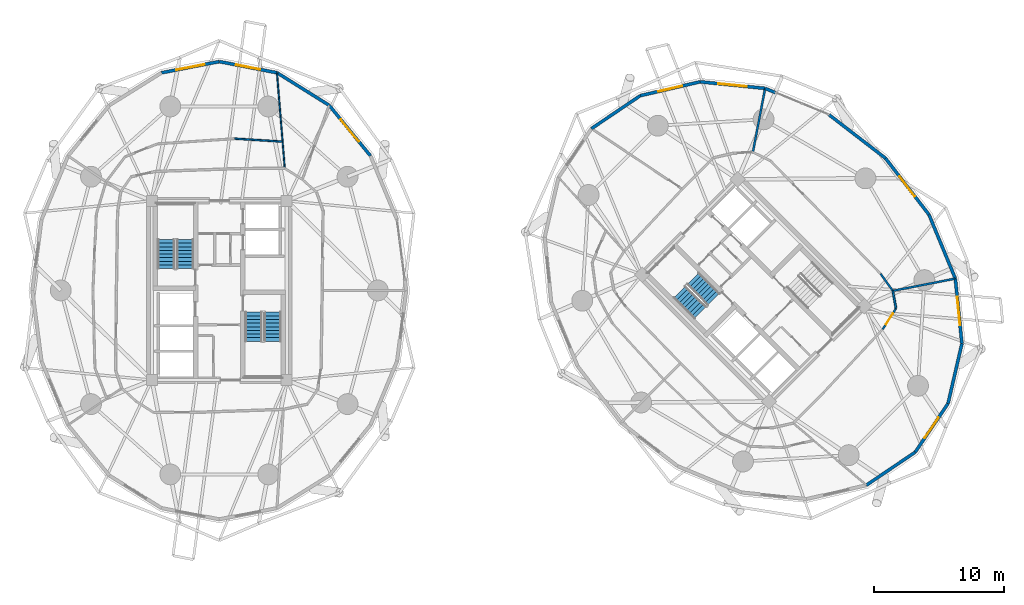
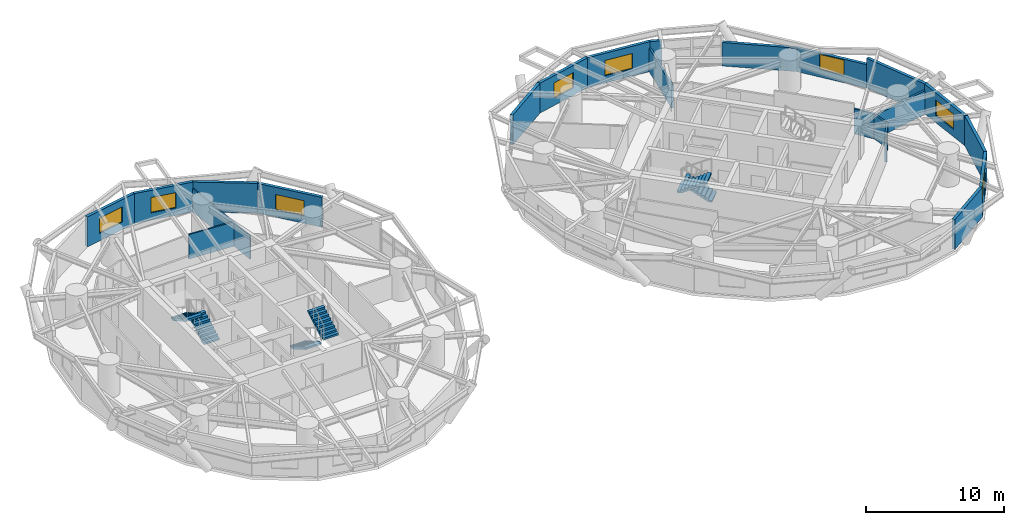
# One storey, part 14 of 17: 22 walls, 8 windows, 6 stair flights, 1 door, 9 openings, 3 elements without a shape of their own.
"""IFC4 building model written with IfcOpenShell, lengths in metres."""

from ifc_helpers import new_model, si_unit, direction, frame, frame_2d, origin, place, context, subcontext, project, spatial, polyline, rectangle, outline, extrude, source, transform, mapped, material, layer, layer_set, type_object, element, fill, aggregate, save


model = new_model("IFC4")

# Units and contexts
model_context = context("Model", 3, precision=1e-05, world=origin(), true_north=direction((0.0, 1.0)))
body_context = subcontext(model_context, "Body", "Model", "MODEL_VIEW")
ifc_project = project(units=[si_unit("LENGTHUNIT", "METRE"), si_unit("AREAUNIT", "SQUARE_METRE"), si_unit("VOLUMEUNIT", "CUBIC_METRE"), si_unit("PLANEANGLEUNIT", "RADIAN"), si_unit("MASSUNIT", "GRAM", prefix="KILO")], contexts=[model_context])

# Site, building, storey
site_placement = place(None, origin())
site = spatial("IfcSite", under=ifc_project, at=site_placement, CompositionType="ELEMENT")
building_placement = place(site_placement, origin())
building = spatial("IfcBuilding", under=site, at=building_placement, Name="Cununo Teusaquillo Station Towers", CompositionType="ELEMENT")
storey_placement = place(building_placement, frame((0.0, 0.0, 27.820068359375)))
storey = spatial("IfcBuildingStorey", under=building, at=storey_placement, Name="L07", CompositionType="ELEMENT", Elevation=27.820068359375)

# Wall, opening, window
ifc_material_1 = material(Name="Precast concrete C40/50", Category="concrete")
ifc_layer_1 = layer(ifc_material_1, 0.239990234375)
ifc_layer_set_1 = layer_set([ifc_layer_1], Name="Precast concrete C40/50")
wall_type_1 = type_object("IfcWallType", Name="WL-EXT-240", PredefinedType="SOLIDWALL", material=ifc_layer_set_1)
wall_1_placement = place(storey_placement, frame((24.935302734375, 38.71435546875, 0.0), z_axis=(0.0, 0.0, 1.0), x_axis=(0.632588557044, -0.774488035735, 0.0)))
wall_1 = element("IfcWall", 1, at=wall_1_placement, inside=storey, type_object=wall_type_1, Name="L07 Tower A Exterior Facade Wall C02", PredefinedType="SOLIDWALL", context=body_context, shape_type="SweptSolid", body=[
    extrude(rectangle(XDim=5.018798828125, YDim=0.239990234375, at=frame_2d((2.50927734375, 0.0))), origin(), (0.0, 0.0, 1.0), 2.635009765625),
])
shared_shape_1 = source(origin(), body_context, "Body", "SweptSolid", [
    extrude(rectangle(XDim=2.199951171875, YDim=1.35009765625, at=frame_2d((1.10009765625, 0.675048828125))), frame((0.0, 0.1298828125, 0.0), z_axis=(0.0, -1.0, 0.0), x_axis=(1.0, 0.0, 0.0)), (0.0, 0.0, 1.0), 0.260009765625),
])
opening_1_placement = place(wall_1_placement, frame((1.408935546875, 0.0, 0.64990234375)))
opening_1 = element("IfcOpeningElement", 2, at=opening_1_placement, cuts=wall_1, Name="Opening WN-01", PredefinedType="OPENING", context=body_context, shape_type="MappedRepresentation", body=[
    mapped(shared_shape_1, transform((0.0, 0.0, 0.0), x_axis=(1.0, 0.0, 0.0), y_axis=(0.0, 1.0, 0.0), z_axis=(0.0, 0.0, 1.0), scale=1.0)),
])
ifc_material_2 = material(Name="Ceramic-fritted dark low-E double glazing", Category="glass")
window_type_1 = type_object("IfcWindowType", Name="WIN-FRIT-2200", PartitioningType="DOUBLE_PANEL_VERTICAL", PredefinedType="WINDOW", material=ifc_material_2)
shared_shape_2 = source(origin(), body_context, "Body", "SweptSolid", [
    extrude(rectangle(XDim=2.199951171875, YDim=1.35009765625, at=frame_2d((1.10009765625, 0.675048828125))), frame((0.0, 0.030029296875, 0.0), z_axis=(0.0, -1.0, 0.0), x_axis=(1.0, 0.0, 0.0)), (0.0, 0.0, 1.0), 0.06005859375),
])
window_1_placement = place(opening_1_placement, origin())
window_1 = element("IfcWindow", 3, at=window_1_placement, inside=storey, type_object=window_type_1, Name="L07 Tower A Facade Window C02", OverallHeight=1.35009765625, OverallWidth=2.199951171875, PartitioningType="DOUBLE_PANEL_VERTICAL", PredefinedType="WINDOW", context=body_context, shape_type="MappedRepresentation", body=[
    mapped(shared_shape_2, transform((0.0, 0.0, 0.0), x_axis=(1.0, 0.0, 0.0), y_axis=(0.0, 1.0, 0.0), z_axis=(0.0, 0.0, 1.0), scale=1.0)),
])
fill(opening_1, window_1)

# Wall
wall_2_placement = place(storey_placement, frame((20.934814453125, 41.210205078125, 0.0), z_axis=(0.0, 0.0, 1.0), x_axis=(0.848422721916, -0.529319265601, 0.0)))
element("IfcWall", 4, at=wall_2_placement, inside=storey, type_object=wall_type_1, Name="L07 Tower A Exterior Facade Wall C03", PredefinedType="SOLIDWALL", context=body_context, shape_type="SweptSolid", body=[
    extrude(rectangle(XDim=4.715087890625, YDim=0.239990234375, at=frame_2d((2.357421875, 0.0))), origin(), (0.0, 0.0, 1.0), 2.635009765625),
])

# Wall, opening, window
wall_3_placement = place(storey_placement, frame((16.5, 42.070068359375, 0.0), z_axis=(0.0, 0.0, 1.0), x_axis=(0.981717351035, -0.190344536766, 0.0)))
wall_3 = element("IfcWall", 5, at=wall_3_placement, inside=storey, type_object=wall_type_1, Name="L07 Tower A Exterior Facade Wall C04", PredefinedType="SOLIDWALL", context=body_context, shape_type="SweptSolid", body=[
    extrude(rectangle(XDim=4.517333984375, YDim=0.239990234375, at=frame_2d((2.2587890625, 0.0))), origin(), (0.0, 0.0, 1.0), 2.635009765625),
])
shared_shape_3 = source(origin(), body_context, "Body", "SweptSolid", [
    extrude(rectangle(XDim=1.89990234375, YDim=1.35009765625, at=frame_2d((0.949951171875, 0.675048828125))), frame((0.0, 0.1298828125, 0.0), z_axis=(0.0, -1.0, 0.0), x_axis=(1.0, 0.0, 0.0)), (0.0, 0.0, 1.0), 0.260009765625),
])
opening_2_placement = place(wall_3_placement, frame((1.30908203125, 0.0, 0.64990234375)))
opening_2 = element("IfcOpeningElement", 6, at=opening_2_placement, cuts=wall_3, Name="Opening WN-02", PredefinedType="OPENING", context=body_context, shape_type="MappedRepresentation", body=[
    mapped(shared_shape_3, transform((0.0, 0.0, 0.0), x_axis=(1.0, 0.0, 0.0), y_axis=(0.0, 1.0, 0.0), z_axis=(0.0, 0.0, 1.0), scale=1.0)),
])
ifc_material_3 = material(Name="Operable acoustic tinted low-E double glazing", Category="glass")
window_type_2 = type_object("IfcWindowType", Name="WIN-OPER-1900", PartitioningType="DOUBLE_PANEL_VERTICAL", PredefinedType="WINDOW", material=ifc_material_3)
shared_shape_4 = source(origin(), body_context, "Body", "SweptSolid", [
    extrude(rectangle(XDim=1.89990234375, YDim=1.35009765625, at=frame_2d((0.949951171875, 0.675048828125))), frame((0.0, 0.030029296875, 0.0), z_axis=(0.0, -1.0, 0.0), x_axis=(1.0, 0.0, 0.0)), (0.0, 0.0, 1.0), 0.06005859375),
])
window_2_placement = place(opening_2_placement, origin())
window_2 = element("IfcWindow", 7, at=window_2_placement, inside=storey, type_object=window_type_2, Name="L07 Tower A Facade Window C04", OverallHeight=1.35009765625, OverallWidth=1.89990234375, PartitioningType="DOUBLE_PANEL_VERTICAL", PredefinedType="WINDOW", context=body_context, shape_type="MappedRepresentation", body=[
    mapped(shared_shape_4, transform((0.0, 0.0, 0.0), x_axis=(1.0, 0.0, 0.0), y_axis=(0.0, 1.0, 0.0), z_axis=(0.0, 0.0, 1.0), scale=1.0)),
])
fill(opening_2, window_2)

wall_4_placement = place(storey_placement, frame((12.065185546875, 41.210205078125, 0.0), z_axis=(0.0, 0.0, 1.0), x_axis=(0.981717351035, 0.190344536766, 0.0)))
wall_4 = element("IfcWall", 8, at=wall_4_placement, inside=storey, type_object=wall_type_1, Name="L07 Tower A Exterior Facade Wall C05", PredefinedType="SOLIDWALL", context=body_context, shape_type="SweptSolid", body=[
    extrude(rectangle(XDim=4.517333984375, YDim=0.239990234375, at=frame_2d((2.2587890625, 0.0))), origin(), (0.0, 0.0, 1.0), 2.635009765625),
])
opening_3_placement = place(wall_4_placement, frame((1.158935546875, 0.0, 0.64990234375)))
opening_3 = element("IfcOpeningElement", 9, at=opening_3_placement, cuts=wall_4, Name="Opening WN-01", PredefinedType="OPENING", context=body_context, shape_type="MappedRepresentation", body=[
    mapped(shared_shape_1, transform((0.0, 0.0, 0.0), x_axis=(1.0, 0.0, 0.0), y_axis=(0.0, 1.0, 0.0), z_axis=(0.0, 0.0, 1.0), scale=1.0)),
])
window_3_placement = place(opening_3_placement, origin())
window_3 = element("IfcWindow", 10, at=window_3_placement, inside=storey, type_object=window_type_1, Name="L07 Tower A Facade Window C05", OverallHeight=1.35009765625, OverallWidth=2.199951171875, PartitioningType="DOUBLE_PANEL_VERTICAL", PredefinedType="WINDOW", context=body_context, shape_type="MappedRepresentation", body=[
    mapped(shared_shape_2, transform((0.0, 0.0, 0.0), x_axis=(1.0, 0.0, 0.0), y_axis=(0.0, 1.0, 0.0), z_axis=(0.0, 0.0, 1.0), scale=1.0)),
])
fill(opening_3, window_3)

# Walls
wall_5_placement = place(storey_placement, frame((63.31201171875, 37.990234375, 0.0), z_axis=(0.0, 0.0, 1.0), x_axis=(0.791972010801, -0.610557396243, 0.0)))
element("IfcWall", 11, at=wall_5_placement, inside=storey, type_object=wall_type_1, Name="L07 Tower B Exterior Facade Wall C00", PredefinedType="SOLIDWALL", context=body_context, shape_type="SweptSolid", body=[
    extrude(rectangle(XDim=5.474609375, YDim=0.239990234375, at=frame_2d((2.7373046875, 0.0))), origin(), (0.0, 0.0, 1.0), 2.072998046875),
])
wall_6_placement = place(storey_placement, frame((58.406982421875, 40.01220703125, 0.0), z_axis=(0.0, 0.0, 1.0), x_axis=(0.924556017656, -0.381046152345, 0.0)))
element("IfcWall", 12, at=wall_6_placement, inside=storey, type_object=wall_type_1, Name="L07 Tower B Column Pier Cladding Wall C01-PA", PredefinedType="SOLIDWALL", context=body_context, shape_type="SweptSolid", body=[
    extrude(rectangle(XDim=0.8701171875, YDim=0.239990234375, at=frame_2d((0.43505859375, 0.0))), origin(), (0.0, 0.0, 1.0), 2.635009765625),
])

# Wall, opening, window
wall_7_placement = place(storey_placement, frame((53.41357421875, 40.515869140625, 0.0), z_axis=(0.0, 0.0, 1.0), x_axis=(0.994951574538, -0.100356187272, 0.0)))
wall_7 = element("IfcWall", 13, at=wall_7_placement, inside=storey, type_object=wall_type_1, Name="L07 Tower B Exterior Facade Wall C02", PredefinedType="SOLIDWALL", context=body_context, shape_type="SweptSolid", body=[
    extrude(rectangle(XDim=5.018798828125, YDim=0.239990234375, at=frame_2d((2.50927734375, 0.0))), origin(), (0.0, 0.0, 1.0), 2.635009765625),
])
opening_4_placement = place(wall_7_placement, frame((1.408935546875, 0.0, 0.64990234375)))
opening_4 = element("IfcOpeningElement", 14, at=opening_4_placement, cuts=wall_7, Name="Opening WN-01", PredefinedType="OPENING", context=body_context, shape_type="MappedRepresentation", body=[
    mapped(shared_shape_1, transform((0.0, 0.0, 0.0), x_axis=(1.0, 0.0, 0.0), y_axis=(0.0, 1.0, 0.0), z_axis=(0.0, 0.0, 1.0), scale=1.0)),
])
window_4_placement = place(opening_4_placement, origin())
window_4 = element("IfcWindow", 15, at=window_4_placement, inside=storey, type_object=window_type_1, Name="L07 Tower B Facade Window C02", OverallHeight=1.35009765625, OverallWidth=2.199951171875, PartitioningType="DOUBLE_PANEL_VERTICAL", PredefinedType="WINDOW", context=body_context, shape_type="MappedRepresentation", body=[
    mapped(shared_shape_2, transform((0.0, 0.0, 0.0), x_axis=(1.0, 0.0, 0.0), y_axis=(0.0, 1.0, 0.0), z_axis=(0.0, 0.0, 1.0), scale=1.0)),
])
fill(opening_4, window_4)

wall_8_placement = place(storey_placement, frame((48.820068359375, 39.45166015625, 0.0), z_axis=(0.0, 0.0, 1.0), x_axis=(0.974197104074, 0.225698919833, 0.0)))
wall_8 = element("IfcWall", 16, at=wall_8_placement, inside=storey, type_object=wall_type_1, Name="L07 Tower B Exterior Facade Wall C03", PredefinedType="SOLIDWALL", context=body_context, shape_type="SweptSolid", body=[
    extrude(rectangle(XDim=4.715087890625, YDim=0.239990234375, at=frame_2d((2.357421875, 0.0))), origin(), (0.0, 0.0, 1.0), 2.635009765625),
])
opening_5_placement = place(wall_8_placement, frame((1.407958984375, 0.0, 0.64990234375)))
opening_5 = element("IfcOpeningElement", 17, at=opening_5_placement, cuts=wall_8, Name="Opening WN-02", PredefinedType="OPENING", context=body_context, shape_type="MappedRepresentation", body=[
    mapped(shared_shape_3, transform((0.0, 0.0, 0.0), x_axis=(1.0, 0.0, 0.0), y_axis=(0.0, 1.0, 0.0), z_axis=(0.0, 0.0, 1.0), scale=1.0)),
])
window_5_placement = place(opening_5_placement, origin())
window_5 = element("IfcWindow", 18, at=window_5_placement, inside=storey, type_object=window_type_2, Name="L07 Tower B Facade Window C03", OverallHeight=1.35009765625, OverallWidth=1.89990234375, PartitioningType="DOUBLE_PANEL_VERTICAL", PredefinedType="WINDOW", context=body_context, shape_type="MappedRepresentation", body=[
    mapped(shared_shape_4, transform((0.0, 0.0, 0.0), x_axis=(1.0, 0.0, 0.0), y_axis=(0.0, 1.0, 0.0), z_axis=(0.0, 0.0, 1.0), scale=1.0)),
])
fill(opening_5, window_5)

# Walls
for number, where, z_axis, x_axis, name in (
    (19, (45.076171875, 36.923828125, 0.0), (0.0, 0.0, 1.0), (0.828776615238, 0.559579594012, 0.0), "L07 Tower B Exterior Facade Wall C04"),
    (20, (69.923828125, 12.076171875, 0.0), (0.0, 0.0, 1.0), (-0.828776615238, -0.559579594012, 0.0), "L07 Tower B Exterior Facade Wall C14"),
):
    element("IfcWall", number, at=place(storey_placement, frame(where, z_axis=z_axis, x_axis=x_axis)), inside=storey, type_object=wall_type_1, Name=name, PredefinedType="SOLIDWALL", context=body_context, shape_type="SweptSolid", body=[
        extrude(rectangle(XDim=4.517333984375, YDim=0.239990234375, at=frame_2d((2.2587890625, 0.0))), origin(), (0.0, 0.0, 1.0), 2.635009765625),
    ])

# Wall, opening, window
wall_9_placement = place(storey_placement, frame((72.45166015625, 15.820068359375, 0.0), z_axis=(0.0, 0.0, 1.0), x_axis=(-0.559579594012, -0.828776615238, 0.0)))
wall_9 = element("IfcWall", 21, at=wall_9_placement, inside=storey, type_object=wall_type_1, Name="L07 Tower B Exterior Facade Wall C15", PredefinedType="SOLIDWALL", context=body_context, shape_type="SweptSolid", body=[
    extrude(rectangle(XDim=4.517333984375, YDim=0.239990234375, at=frame_2d((2.2587890625, 0.0))), origin(), (0.0, 0.0, 1.0), 2.635009765625),
])
opening_6_placement = place(wall_9_placement, frame((1.30908203125, 0.0, 0.64990234375)))
opening_6 = element("IfcOpeningElement", 22, at=opening_6_placement, cuts=wall_9, Name="Opening WN-02", PredefinedType="OPENING", context=body_context, shape_type="MappedRepresentation", body=[
    mapped(shared_shape_3, transform((0.0, 0.0, 0.0), x_axis=(1.0, 0.0, 0.0), y_axis=(0.0, 1.0, 0.0), z_axis=(0.0, 0.0, 1.0), scale=1.0)),
])
window_6_placement = place(opening_6_placement, origin())
window_6 = element("IfcWindow", 23, at=window_6_placement, inside=storey, type_object=window_type_2, Name="L07 Tower B Facade Window C15", OverallHeight=1.35009765625, OverallWidth=1.89990234375, PartitioningType="DOUBLE_PANEL_VERTICAL", PredefinedType="WINDOW", context=body_context, shape_type="MappedRepresentation", body=[
    mapped(shared_shape_4, transform((0.0, 0.0, 0.0), x_axis=(1.0, 0.0, 0.0), y_axis=(0.0, 1.0, 0.0), z_axis=(0.0, 0.0, 1.0), scale=1.0)),
])
fill(opening_6, window_6)

# Wall
wall_10_placement = place(storey_placement, frame((73.515869140625, 20.41357421875, 0.0), z_axis=(0.0, 0.0, 1.0), x_axis=(-0.225698919833, -0.974197104074, 0.0)))
element("IfcWall", 24, at=wall_10_placement, inside=storey, type_object=wall_type_1, Name="L07 Tower B Exterior Facade Wall C16", PredefinedType="SOLIDWALL", context=body_context, shape_type="SweptSolid", body=[
    extrude(rectangle(XDim=4.715087890625, YDim=0.239990234375, at=frame_2d((2.357421875, 0.0))), origin(), (0.0, 0.0, 1.0), 2.635009765625),
])

# Wall, opening, window
wall_11_placement = place(storey_placement, frame((73.01220703125, 25.406982421875, 0.0), z_axis=(0.0, 0.0, 1.0), x_axis=(0.100356187272, -0.994951574538, 0.0)))
wall_11 = element("IfcWall", 25, at=wall_11_placement, inside=storey, type_object=wall_type_1, Name="L07 Tower B Exterior Facade Wall C17", PredefinedType="SOLIDWALL", context=body_context, shape_type="SweptSolid", body=[
    extrude(rectangle(XDim=5.018798828125, YDim=0.239990234375, at=frame_2d((2.50927734375, 0.0))), origin(), (0.0, 0.0, 1.0), 2.635009765625),
])
opening_7_placement = place(wall_11_placement, frame((1.408935546875, 0.0, 0.64990234375)))
opening_7 = element("IfcOpeningElement", 26, at=opening_7_placement, cuts=wall_11, Name="Opening WN-01", PredefinedType="OPENING", context=body_context, shape_type="MappedRepresentation", body=[
    mapped(shared_shape_1, transform((0.0, 0.0, 0.0), x_axis=(1.0, 0.0, 0.0), y_axis=(0.0, 1.0, 0.0), z_axis=(0.0, 0.0, 1.0), scale=1.0)),
])
window_7_placement = place(opening_7_placement, origin())
window_7 = element("IfcWindow", 27, at=window_7_placement, inside=storey, type_object=window_type_1, Name="L07 Tower B Facade Window C17", OverallHeight=1.35009765625, OverallWidth=2.199951171875, PartitioningType="DOUBLE_PANEL_VERTICAL", PredefinedType="WINDOW", context=body_context, shape_type="MappedRepresentation", body=[
    mapped(shared_shape_2, transform((0.0, 0.0, 0.0), x_axis=(1.0, 0.0, 0.0), y_axis=(0.0, 1.0, 0.0), z_axis=(0.0, 0.0, 1.0), scale=1.0)),
])
fill(opening_7, window_7)

# Wall
wall_12_placement = place(storey_placement, frame((70.990234375, 30.31201171875, 0.0), z_axis=(0.0, 0.0, 1.0), x_axis=(0.381113147118, -0.924528403616, 0.0)))
element("IfcWall", 28, at=wall_12_placement, inside=storey, type_object=wall_type_1, Name="L07 Tower B Exterior Facade Wall C18", PredefinedType="SOLIDWALL", context=body_context, shape_type="SweptSolid", body=[
    extrude(rectangle(XDim=5.305419921875, YDim=0.239990234375, at=frame_2d((2.65283203125, 0.0))), origin(), (0.0, 0.0, 1.0), 2.635009765625),
])

# Wall, opening, window
wall_13_placement = place(storey_placement, frame((67.647705078125, 34.647705078125, 0.0), z_axis=(0.0, 0.0, 1.0), x_axis=(0.610557396243, -0.791972010801, 0.0)))
wall_13 = element("IfcWall", 29, at=wall_13_placement, inside=storey, type_object=wall_type_1, Name="L07 Tower B Exterior Facade Wall C19", PredefinedType="SOLIDWALL", context=body_context, shape_type="SweptSolid", body=[
    extrude(rectangle(XDim=5.474609375, YDim=0.239990234375, at=frame_2d((2.7373046875, 0.0))), origin(), (0.0, 0.0, 1.0), 2.072998046875),
])
opening_8_placement = place(wall_13_placement, frame((1.787109375, 0.0, 0.64990234375)))
opening_8 = element("IfcOpeningElement", 30, at=opening_8_placement, cuts=wall_13, Name="Opening WN-02", PredefinedType="OPENING", context=body_context, shape_type="MappedRepresentation", body=[
    mapped(shared_shape_3, transform((0.0, 0.0, 0.0), x_axis=(1.0, 0.0, 0.0), y_axis=(0.0, 1.0, 0.0), z_axis=(0.0, 0.0, 1.0), scale=1.0)),
])
window_8_placement = place(opening_8_placement, origin())
window_8 = element("IfcWindow", 31, at=window_8_placement, inside=storey, type_object=window_type_2, Name="L07 Tower B Facade Window C19", OverallHeight=1.35009765625, OverallWidth=1.89990234375, PartitioningType="DOUBLE_PANEL_VERTICAL", PredefinedType="WINDOW", context=body_context, shape_type="MappedRepresentation", body=[
    mapped(shared_shape_4, transform((0.0, 0.0, 0.0), x_axis=(1.0, 0.0, 0.0), y_axis=(0.0, 1.0, 0.0), z_axis=(0.0, 0.0, 1.0), scale=1.0)),
])
fill(opening_8, window_8)

# Walls
ifc_material_4 = material(Name="Fire-rated gypsum plasterboard partition assembly", Category="gypsum")
ifc_layer_2 = layer(ifc_material_4, 0.10009765625)
ifc_layer_set_2 = layer_set([ifc_layer_2], Name="Fire-rated gypsum plasterboard partition assembly")
wall_type_2 = type_object("IfcWallType", Name="WL-PART-100", PredefinedType="MOVABLE", material=ifc_layer_set_2)
wall_14_placement = place(storey_placement, frame((21.52685546875, 33.873291015625, 0.0), z_axis=(0.0, 0.0, 1.0), x_axis=(-0.081501553037, 0.996673214676, 0.0)))
element("IfcWall", 32, at=wall_14_placement, inside=storey, type_object=wall_type_2, Name="L07 Tower A Radial Suite Partition R02", PredefinedType="MOVABLE", context=body_context, shape_type="SweptSolid", body=[
    extrude(rectangle(XDim=7.342041015625, YDim=0.10009765625, at=frame_2d((3.6708984375, 0.0))), origin(), (0.0, 0.0, 1.0), 2.072998046875),
])
ifc_material_5 = material(Name="Fire-rated gypsum plasterboard partition assembly", Category="gypsum")
ifc_layer_3 = layer(ifc_material_5, 0.125)
ifc_layer_set_3 = layer_set([ifc_layer_3], Name="Fire-rated gypsum plasterboard partition assembly")
wall_type_3 = type_object("IfcWallType", Name="WL-PART-125", PredefinedType="PARTITIONING", material=ifc_layer_set_3)
wall_15_placement = place(storey_placement, frame((21.359375, 35.92236328125, 0.0), z_axis=(0.0, 0.0, 1.0), x_axis=(-0.998040956573, 0.062563959294, 0.0)))
element("IfcWall", 33, at=wall_15_placement, inside=storey, type_object=wall_type_3, Name="L07 Tower A Simultaneous Interpretation Hall Concentric Partition Wall C04", PredefinedType="PARTITIONING", context=body_context, shape_type="SweptSolid", body=[
    extrude(rectangle(XDim=3.683837890625, YDim=0.125, at=frame_2d((1.841796875, 0.0))), origin(), (0.0, 0.0, 1.0), 2.158935546875),
])

# Wall, opening, door
ifc_material_6 = material(Name="Fire-rated gypsum plasterboard partition assembly", Category="gypsum")
ifc_layer_4 = layer(ifc_material_6, 0.14990234375)
ifc_layer_set_4 = layer_set([ifc_layer_4], Name="Fire-rated gypsum plasterboard partition assembly")
wall_type_4 = type_object("IfcWallType", Name="WL-PART-150", PredefinedType="PARTITIONING", material=ifc_layer_set_4)
wall_16_placement = place(storey_placement, frame((67.4345703125, 21.521484375, 0.0), z_axis=(0.0, 0.0, 1.0), x_axis=(0.540777197838, 0.841165870859, 0.0)))
wall_16 = element("IfcWall", 34, at=wall_16_placement, inside=storey, type_object=wall_type_4, Name="L07 Tower B Corridor Ring Wall C16", PredefinedType="PARTITIONING", context=body_context, shape_type="SweptSolid", body=[
    extrude(rectangle(XDim=1.887939453125, YDim=0.14990234375, at=frame_2d((0.94384765625, 0.0))), origin(), (0.0, 0.0, 1.0), 2.204833984375),
])
shared_shape_5 = source(origin(), body_context, "Body", "SweptSolid", [
    extrude(rectangle(XDim=1.0, YDim=2.014892578125, at=frame_2d((0.5, 1.00732421875))), frame((0.0, 0.0849609375, 0.0), z_axis=(0.0, -1.0, 0.0), x_axis=(1.0, 0.0, 0.0)), (0.0, 0.0, 1.0), 0.169921875),
])
opening_9_placement = place(wall_16_placement, frame((0.44384765625, 0.0, 0.0)))
opening_9 = element("IfcOpeningElement", 35, at=opening_9_placement, cuts=wall_16, Name="Opening D-AC1", PredefinedType="OPENING", context=body_context, shape_type="MappedRepresentation", body=[
    mapped(shared_shape_5, transform((0.0, 0.0, 0.0), x_axis=(1.0, 0.0, 0.0), y_axis=(0.0, 1.0, 0.0), z_axis=(0.0, 0.0, 1.0), scale=1.0)),
])
ifc_material_7 = material(Name="Acoustic solid-core hardwood leaf assembly", Category="wood")
door_type = type_object("IfcDoorType", Name="DR-ACC-1000", OperationType="NOTDEFINED", PredefinedType="DOOR", material=ifc_material_7)
shared_shape_6 = source(origin(), body_context, "Body", "SweptSolid", [
    extrude(rectangle(XDim=1.0, YDim=2.014892578125, at=frame_2d((0.5, 1.00732421875))), frame((0.0, 0.02490234375, 0.0), z_axis=(0.0, -1.0, 0.0), x_axis=(1.0, 0.0, 0.0)), (0.0, 0.0, 1.0), 0.050048828125),
])
door_placement = place(opening_9_placement, origin())
door = element("IfcDoor", 36, at=door_placement, inside=storey, type_object=door_type, Name="L07 Tower B Public Accessible Restroom WC Entrance Door", OperationType="SINGLE_SWING_RIGHT", OverallHeight=2.014892578125, OverallWidth=1.0, PredefinedType="DOOR", context=body_context, shape_type="MappedRepresentation", body=[
    mapped(shared_shape_6, transform((0.0, 0.0, 0.0), x_axis=(1.0, 0.0, 0.0), y_axis=(0.0, 1.0, 0.0), z_axis=(0.0, 0.0, 1.0), scale=1.0)),
])
fill(opening_9, door)

# Walls
wall_17_placement = place(storey_placement, frame((68.45556640625, 23.109619140625, 0.0), z_axis=(0.0, 0.0, 1.0), x_axis=(-0.1772522795, 0.984165448191, 0.0)))
element("IfcWall", 37, at=wall_17_placement, inside=storey, type_object=wall_type_4, Name="L07 Tower B Corridor Ring Wall C17", PredefinedType="PARTITIONING", context=body_context, shape_type="SweptSolid", body=[
    extrude(rectangle(XDim=1.381591796875, YDim=0.14990234375, at=frame_2d((0.69091796875, 0.0))), origin(), (0.0, 0.0, 1.0), 2.158935546875),
])
wall_18_placement = place(storey_placement, frame((68.210693359375, 24.46923828125, 0.0), z_axis=(0.0, 0.0, 1.0), x_axis=(-0.583012141368, 0.812463441034, 0.0)))
element("IfcWall", 38, at=wall_18_placement, inside=storey, type_object=wall_type_4, Name="L07 Tower B Corridor Ring Wall C18", PredefinedType="PARTITIONING", context=body_context, shape_type="SweptSolid", body=[
    extrude(rectangle(XDim=1.613037109375, YDim=0.14990234375, at=frame_2d((0.806640625, 0.0))), origin(), (0.0, 0.0, 1.0), 2.204833984375),
])
ifc_material_8 = material(Name="Fire-rated gypsum plasterboard partition assembly", Category="gypsum")
ifc_layer_5 = layer(ifc_material_8, 0.159912109375)
ifc_layer_set_5 = layer_set([ifc_layer_5], Name="Fire-rated gypsum plasterboard partition assembly")
wall_type_5 = type_object("IfcWallType", Name="WL-PART-160", PredefinedType="PARTITIONING", material=ifc_layer_set_5)
wall_19_placement = place(storey_placement, frame((57.466796875, 35.111328125, 0.0), z_axis=(0.0, 0.0, 1.0), x_axis=(0.188572285328, 0.982059312468, 0.0)))
element("IfcWall", 39, at=wall_19_placement, inside=storey, type_object=wall_type_5, Name="L07 Tower B Radial Suite Partition R01", PredefinedType="PARTITIONING", context=body_context, shape_type="SweptSolid", body=[
    extrude(rectangle(XDim=4.97021484375, YDim=0.159912109375, at=frame_2d((2.485107421875, 0.0))), origin(), (0.0, 0.0, 1.0), 2.072998046875),
])
wall_20_placement = place(storey_placement, frame((68.210693359375, 24.46923828125, 0.0), z_axis=(0.0, 0.0, 1.0), x_axis=(0.981421381452, 0.19186472325, 0.0)))
element("IfcWall", 40, at=wall_20_placement, inside=storey, type_object=wall_type_5, Name="L07 Tower B Radial Suite Partition R05", PredefinedType="PARTITIONING", context=body_context, shape_type="SweptSolid", body=[
    extrude(rectangle(XDim=4.872314453125, YDim=0.159912109375, at=frame_2d((2.43603515625, 0.0))), origin(), (0.0, 0.0, 1.0), 2.072998046875),
])

# Stair, stair flights
ifc_material_9 = material(Name="Concrete C50/60", Category="concrete")
stair_type = type_object("IfcStairType", Name="ST-TWR-1300", PredefinedType="HALF_TURN_STAIR", material=ifc_material_9)
stair_1_placement = place(storey_placement, origin())
stair_1 = element("IfcStair", 41, at=stair_1_placement, inside=storey, type_object=stair_type, Name="L07 Tower A Protected Core Exit Stair 1", PredefinedType="HALF_TURN_STAIR")
ifc_material_10 = material(Name="Concrete C50/60", Category="concrete")
stair_flight_type = type_object("IfcStairFlightType", Name="SFL-TWR-1300", PredefinedType="STRAIGHT", material=ifc_material_10)
stair_flight_1_placement = place(storey_placement, frame((13.8701171875, 26.169921875, 0.0), z_axis=(0.0, 0.0, 1.0), x_axis=(0.0, 1.0, 0.0)))
stair_flight_1 = element("IfcStairFlight", 42, at=stair_flight_1_placement, type_object=stair_flight_type, Name="ST-T1-1 flight 1", NumberOfRisers=9, NumberOfTreads=8, PredefinedType="STRAIGHT", RiserHeight=0.161666667, TreadLength=0.28, context=body_context, shape_type="SweptSolid", body=[
    extrude(outline(polyline([(0.0, 0.0), (0.0, 0.16162109375), (0.280029296875, 0.16162109375), (0.280029296875, 0.3232421875), (0.56005859375, 0.3232421875), (0.56005859375, 0.485107421875), (0.840087890625, 0.485107421875), (0.840087890625, 0.646728515625), (1.1201171875, 0.646728515625), (1.1201171875, 0.808349609375), (1.39990234375, 0.808349609375), (1.39990234375, 0.969970703125), (1.679931640625, 0.969970703125), (1.679931640625, 1.131591796875), (1.9599609375, 1.131591796875), (1.9599609375, 1.293212890625), (2.239990234375, 1.293212890625), (2.239990234375, 1.455078125), (2.239990234375, 1.1201171875), (0.2998046875, 0.0), (0.0, 0.0)])), frame((0.0, 0.64990234375, 0.0), z_axis=(0.0, -1.0, 0.0), x_axis=(1.0, 0.0, 0.0)), (0.0, 0.0, 1.0), 1.300048828125),
])
stair_flight_2_placement = place(storey_placement, frame((12.409912109375, 28.409912109375, 1.454833984375), z_axis=(0.0, 0.0, 1.0), x_axis=(0.0, -1.0, 0.0)))
stair_flight_2 = element("IfcStairFlight", 43, at=stair_flight_2_placement, type_object=stair_flight_type, Name="ST-T1-1 flight 2", NumberOfRisers=9, NumberOfTreads=8, PredefinedType="STRAIGHT", RiserHeight=0.161666667, TreadLength=0.28, context=body_context, shape_type="SweptSolid", body=[
    extrude(outline(polyline([(0.0, 0.0), (0.0, 0.16162109375), (0.280029296875, 0.16162109375), (0.280029296875, 0.3232421875), (0.56005859375, 0.3232421875), (0.56005859375, 0.485107421875), (0.840087890625, 0.485107421875), (0.840087890625, 0.646728515625), (1.1201171875, 0.646728515625), (1.1201171875, 0.808349609375), (1.39990234375, 0.808349609375), (1.39990234375, 0.969970703125), (1.679931640625, 0.969970703125), (1.679931640625, 1.131591796875), (1.9599609375, 1.131591796875), (1.9599609375, 1.293212890625), (2.239990234375, 1.293212890625), (2.239990234375, 1.455078125), (2.239990234375, 1.1201171875), (0.2998046875, 0.0), (0.0, 0.0)])), frame((0.0, 0.64990234375, 0.0), z_axis=(0.0, -1.0, 0.0), x_axis=(1.0, 0.0, 0.0)), (0.0, 0.0, 1.0), 1.300048828125),
])
aggregate(stair_1, [stair_flight_1, stair_flight_2])

stair_2_placement = place(storey_placement, origin())
stair_2 = element("IfcStair", 44, at=stair_2_placement, inside=storey, type_object=stair_type, Name="L07 Tower A Protected Core Exit Stair 2", PredefinedType="HALF_TURN_STAIR")
stair_flight_3_placement = place(storey_placement, frame((19.1298828125, 22.830078125, 0.0), z_axis=(0.0, 0.0, 1.0), x_axis=(0.0, -1.0, 0.0)))
stair_flight_3 = element("IfcStairFlight", 45, at=stair_flight_3_placement, type_object=stair_flight_type, Name="ST-T1-2 flight 1", NumberOfRisers=9, NumberOfTreads=8, PredefinedType="STRAIGHT", RiserHeight=0.161666667, TreadLength=0.28, context=body_context, shape_type="SweptSolid", body=[
    extrude(outline(polyline([(0.0, 0.0), (0.0, 0.16162109375), (0.280029296875, 0.16162109375), (0.280029296875, 0.3232421875), (0.56005859375, 0.3232421875), (0.56005859375, 0.485107421875), (0.840087890625, 0.485107421875), (0.840087890625, 0.646728515625), (1.1201171875, 0.646728515625), (1.1201171875, 0.808349609375), (1.39990234375, 0.808349609375), (1.39990234375, 0.969970703125), (1.679931640625, 0.969970703125), (1.679931640625, 1.131591796875), (1.9599609375, 1.131591796875), (1.9599609375, 1.293212890625), (2.239990234375, 1.293212890625), (2.239990234375, 1.455078125), (2.239990234375, 1.1201171875), (0.2998046875, 0.0), (0.0, 0.0)])), frame((0.0, 0.64990234375, 0.0), z_axis=(0.0, -1.0, 0.0), x_axis=(1.0, 0.0, 0.0)), (0.0, 0.0, 1.0), 1.300048828125),
])
stair_flight_4_placement = place(storey_placement, frame((20.590087890625, 20.590087890625, 1.454833984375), z_axis=(0.0, 0.0, 1.0), x_axis=(0.0, 1.0, 0.0)))
stair_flight_4 = element("IfcStairFlight", 46, at=stair_flight_4_placement, type_object=stair_flight_type, Name="ST-T1-2 flight 2", NumberOfRisers=9, NumberOfTreads=8, PredefinedType="STRAIGHT", RiserHeight=0.161666667, TreadLength=0.28, context=body_context, shape_type="SweptSolid", body=[
    extrude(outline(polyline([(0.0, 0.0), (0.0, 0.16162109375), (0.280029296875, 0.16162109375), (0.280029296875, 0.3232421875), (0.56005859375, 0.3232421875), (0.56005859375, 0.485107421875), (0.840087890625, 0.485107421875), (0.840087890625, 0.646728515625), (1.1201171875, 0.646728515625), (1.1201171875, 0.808349609375), (1.39990234375, 0.808349609375), (1.39990234375, 0.969970703125), (1.679931640625, 0.969970703125), (1.679931640625, 1.131591796875), (1.9599609375, 1.131591796875), (1.9599609375, 1.293212890625), (2.239990234375, 1.293212890625), (2.239990234375, 1.455078125), (2.239990234375, 1.1201171875), (0.2998046875, 0.0), (0.0, 0.0)])), frame((0.0, 0.64990234375, 0.0), z_axis=(0.0, -1.0, 0.0), x_axis=(1.0, 0.0, 0.0)), (0.0, 0.0, 1.0), 1.300048828125),
])
aggregate(stair_2, [stair_flight_3, stair_flight_4])

stair_3_placement = place(storey_placement, origin())
stair_3 = element("IfcStair", 47, at=stair_3_placement, inside=storey, type_object=stair_type, Name="L07 Tower B Protected Core Exit Stair 1", PredefinedType="HALF_TURN_STAIR")
stair_flight_5_placement = place(storey_placement, frame((54.45947265625, 23.8212890625, 0.0), z_axis=(0.0, 0.0, 1.0), x_axis=(-0.707106781187, 0.707106781187, 0.0)))
stair_flight_5 = element("IfcStairFlight", 48, at=stair_flight_5_placement, type_object=stair_flight_type, Name="ST-T2-1 flight 1", NumberOfRisers=9, NumberOfTreads=8, PredefinedType="STRAIGHT", RiserHeight=0.161666667, TreadLength=0.28, context=body_context, shape_type="SweptSolid", body=[
    extrude(outline(polyline([(0.0, 0.0), (0.0, 0.16162109375), (0.280029296875, 0.16162109375), (0.280029296875, 0.3232421875), (0.56005859375, 0.3232421875), (0.56005859375, 0.485107421875), (0.840087890625, 0.485107421875), (0.840087890625, 0.646728515625), (1.1201171875, 0.646728515625), (1.1201171875, 0.808349609375), (1.39990234375, 0.808349609375), (1.39990234375, 0.969970703125), (1.679931640625, 0.969970703125), (1.679931640625, 1.131591796875), (1.9599609375, 1.131591796875), (1.9599609375, 1.293212890625), (2.239990234375, 1.293212890625), (2.239990234375, 1.455078125), (2.239990234375, 1.1201171875), (0.2998046875, 0.0), (0.0, 0.0)])), frame((0.0, 0.64990234375, 0.0), z_axis=(0.0, -1.0, 0.0), x_axis=(1.0, 0.0, 0.0)), (0.0, 0.0, 1.0), 1.300048828125),
])
stair_flight_6_placement = place(storey_placement, frame((51.84326171875, 24.372802734375, 1.454833984375), z_axis=(0.0, 0.0, 1.0), x_axis=(0.707106781187, -0.707106781187, 0.0)))
stair_flight_6 = element("IfcStairFlight", 49, at=stair_flight_6_placement, type_object=stair_flight_type, Name="ST-T2-1 flight 2", NumberOfRisers=9, NumberOfTreads=8, PredefinedType="STRAIGHT", RiserHeight=0.161666667, TreadLength=0.28, context=body_context, shape_type="SweptSolid", body=[
    extrude(outline(polyline([(0.0, 0.0), (0.0, 0.16162109375), (0.280029296875, 0.16162109375), (0.280029296875, 0.3232421875), (0.56005859375, 0.3232421875), (0.56005859375, 0.485107421875), (0.840087890625, 0.485107421875), (0.840087890625, 0.646728515625), (1.1201171875, 0.646728515625), (1.1201171875, 0.808349609375), (1.39990234375, 0.808349609375), (1.39990234375, 0.969970703125), (1.679931640625, 0.969970703125), (1.679931640625, 1.131591796875), (1.9599609375, 1.131591796875), (1.9599609375, 1.293212890625), (2.239990234375, 1.293212890625), (2.239990234375, 1.455078125), (2.239990234375, 1.1201171875), (0.2998046875, 0.0), (0.0, 0.0)])), frame((0.0, 0.64990234375, 0.0), z_axis=(0.0, -1.0, 0.0), x_axis=(1.0, 0.0, 0.0)), (0.0, 0.0, 1.0), 1.300048828125),
])
aggregate(stair_3, [stair_flight_5, stair_flight_6])

save(model, "model.ifc")
